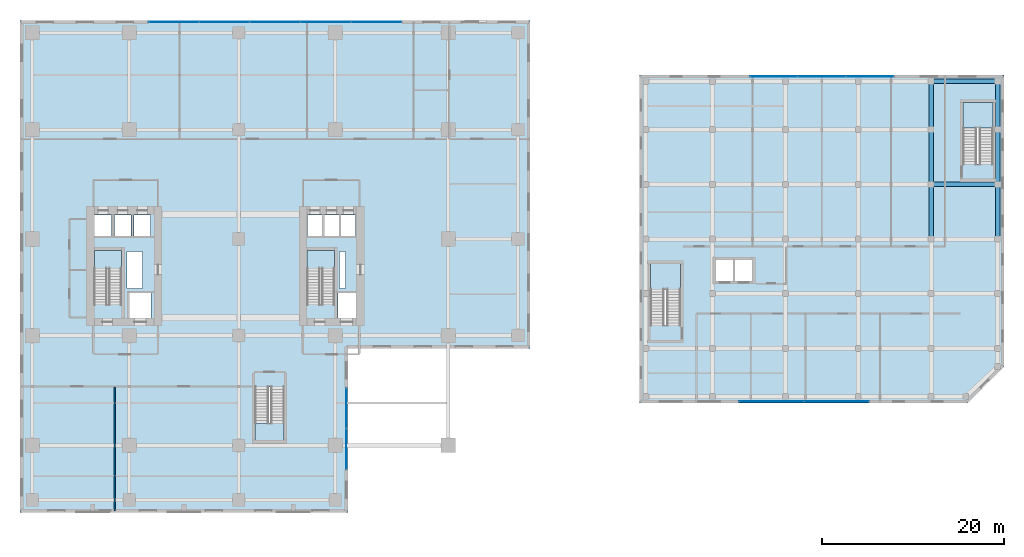
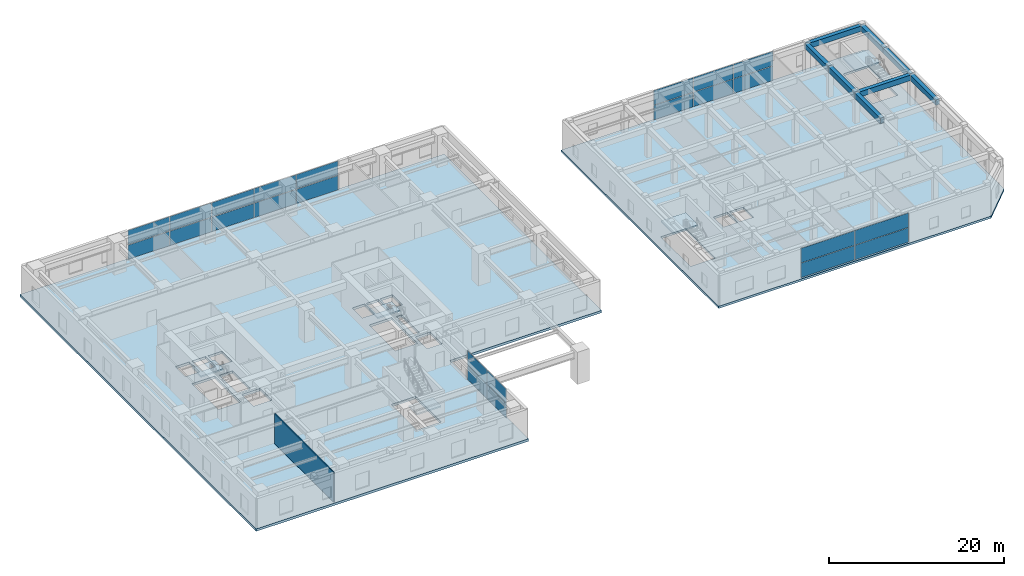
# One storey, part 17 of 26: 24 plates, 8 beams, 7 slabs, 1 wall, 9 elements without a shape of their own.
"""IFC4 building model written with IfcOpenShell, lengths in metres."""

from ifc_helpers import new_model, si_unit, direction, frame, frame_2d, origin, origin_2d, place, context, subcontext, project, spatial, polyline, rectangle, outline, extrude, source, transform, mapped, material, layer, layer_set, material_profile, profile_set, type_object, element, aggregate, save


model = new_model("IFC4")

# Units and contexts
model_context = context("Model", 3, precision=1e-05, world=origin(), true_north=direction((0.0, 1.0)))
body_context = subcontext(model_context, "Body", "Model", "MODEL_VIEW")
ifc_project = project(units=[si_unit("LENGTHUNIT", "METRE"), si_unit("AREAUNIT", "SQUARE_METRE"), si_unit("VOLUMEUNIT", "CUBIC_METRE"), si_unit("PLANEANGLEUNIT", "RADIAN"), si_unit("MASSUNIT", "GRAM", prefix="KILO")], contexts=[model_context])

# Site, building, storey
site_placement = place(None, origin())
site = spatial("IfcSite", under=ifc_project, at=site_placement, CompositionType="ELEMENT")
building_placement = place(site_placement, origin())
building = spatial("IfcBuilding", under=site, at=building_placement, Name="Khoralis Quay Care Tower", CompositionType="ELEMENT")
storey_placement = place(building_placement, frame((0.0, 0.0, 4.5)))
storey = spatial("IfcBuildingStorey", under=building, at=storey_placement, Name="L01", CompositionType="ELEMENT", Elevation=4.5)

# Beams
ifc_material_1 = material(Name="Concrete C40/50", Category="concrete")
ifc_material_profile = material_profile(ifc_material_1, rectangle(XDim=0.5, YDim=0.75, at=origin_2d()), Name="Concrete C40/50")
ifc_profile_set = profile_set([ifc_material_profile], Name="Concrete C40/50")
beam_type = type_object("IfcBeamType", Name="BM-RC500X750", PredefinedType="BEAM", material=ifc_profile_set)
shared_shape_1 = source(origin(), body_context, "Body", "SweptSolid", [
    extrude(rectangle(XDim=0.5, YDim=0.75, at=origin_2d()), origin(), (0.0, 0.0, 1.0), 7.300048828125),
])
for number, where, z_axis, x_axis, name in (
    (1, (100.0, 30.0, 3.824951171875), (1.0, 0.0, 0.0), (0.0, 1.0, 0.0), "BM-SCX-L01-23"),
    (2, (100.0, 41.300048828125, 3.824951171875), (1.0, 0.0, 0.0), (0.0, 1.0, 0.0), "BM-SCX-L01-32"),
):
    element("IfcBeam", number, at=place(storey_placement, frame(where, z_axis=z_axis, x_axis=x_axis)), inside=storey, type_object=beam_type, Name=name, PredefinedType="BEAM", context=body_context, shape_type="MappedRepresentation", body=[
        mapped(shared_shape_1, transform((0.0, 0.0, 0.0), scale=1.0)),
    ])
shared_shape_2 = source(origin(), body_context, "Body", "SweptSolid", [
    extrude(rectangle(XDim=0.5, YDim=0.75, at=origin_2d()), origin(), (0.0, 0.0, 1.0), 5.300048828125),
])
for number, where, z_axis, x_axis, name in (
    (3, (100.0, 36.0, 3.824951171875), (0.0, 1.0, 0.0), (-1.0, 0.0, 0.0), "BM-SCY-L01-62"),
    (4, (107.300048828125, 36.0, 3.824951171875), (0.0, 1.0, 0.0), (-1.0, 0.0, 0.0), "BM-SCY-L01-67"),
):
    element("IfcBeam", number, at=place(storey_placement, frame(where, z_axis=z_axis, x_axis=x_axis)), inside=storey, type_object=beam_type, Name=name, PredefinedType="BEAM", context=body_context, shape_type="MappedRepresentation", body=[
        mapped(shared_shape_2, transform((0.0, 0.0, 0.0), scale=1.0)),
    ])
shared_shape_3 = source(origin(), body_context, "Body", "SweptSolid", [
    extrude(rectangle(XDim=0.5, YDim=0.75, at=origin_2d()), origin(), (0.0, 0.0, 1.0), 6.0),
])
for number, where, z_axis, x_axis, name in (
    (5, (100.0, 24.0, 3.824951171875), (0.0, 1.0, 0.0), (-1.0, 0.0, 0.0), "BM-SCY-L01-60"),
    (6, (100.0, 30.0, 3.824951171875), (0.0, 1.0, 0.0), (-1.0, 0.0, 0.0), "BM-SCY-L01-61"),
    (7, (107.300048828125, 24.0, 3.824951171875), (0.0, 1.0, 0.0), (-1.0, 0.0, 0.0), "BM-SCY-L01-65"),
    (8, (107.300048828125, 30.0, 3.824951171875), (0.0, 1.0, 0.0), (-1.0, 0.0, 0.0), "BM-SCY-L01-66"),
):
    element("IfcBeam", number, at=place(storey_placement, frame(where, z_axis=z_axis, x_axis=x_axis)), inside=storey, type_object=beam_type, Name=name, PredefinedType="BEAM", context=body_context, shape_type="MappedRepresentation", body=[
        mapped(shared_shape_3, transform((0.0, 0.0, 0.0), scale=1.0)),
    ])

# Stair, slab
ifc_material_2 = material(Name="Precast concrete C45/55", Category="concrete")
stair_type_1 = type_object("IfcStairType", Name="ST-TWR-DOGLEG-1400", PredefinedType="HALF_TURN_STAIR", material=ifc_material_2)
stair_1_placement = place(storey_placement, origin())
stair_1 = element("IfcStair", 9, at=stair_1_placement, inside=storey, type_object=stair_type_1, Name="L01 West Core Exit Stair ST-T1", PredefinedType="HALF_TURN_STAIR")
ifc_layer_1 = layer(ifc_material_2, 0.199951171875)
ifc_layer_set_1 = layer_set([ifc_layer_1], Name="Precast concrete C45/55")
slab_type_1 = type_object("IfcSlabType", Name="SLB-LANDING-200", PredefinedType="LANDING", material=ifc_layer_set_1)
slab_1_placement = place(storey_placement, frame((0.0, 0.0, 2.050048828125)))
slab_1 = element("IfcSlab", 10, at=slab_1_placement, type_object=slab_type_1, Name="ST-T1 landing 1", PredefinedType="LANDING", context=body_context, shape_type="SweptSolid", body=[
    extrude(outline(polyline([(11.14990234375, 20.77001953125), (11.14990234375, 22.75), (8.14990234375, 22.75), (8.14990234375, 20.77001953125), (11.14990234375, 20.77001953125)])), origin(), (0.0, 0.0, 1.0), 0.199951171875),
])
aggregate(stair_1, [slab_1])

stair_2_placement = place(storey_placement, origin())
stair_2 = element("IfcStair", 11, at=stair_2_placement, inside=storey, type_object=stair_type_1, Name="L01 East Core Exit Stair ST-T2", PredefinedType="HALF_TURN_STAIR")
slab_2_placement = place(storey_placement, frame((0.0, 0.0, 2.050048828125)))
slab_2 = element("IfcSlab", 12, at=slab_2_placement, type_object=slab_type_1, Name="ST-T2 landing 1", PredefinedType="LANDING", context=body_context, shape_type="SweptSolid", body=[
    extrude(outline(polyline([(34.52001953125, 20.77001953125), (34.52001953125, 22.75), (31.52001953125, 22.75), (31.52001953125, 20.77001953125), (34.52001953125, 20.77001953125)])), origin(), (0.0, 0.0, 1.0), 0.199951171875),
])
aggregate(stair_2, [slab_2])

stair_type_2 = type_object("IfcStairType", Name="ST-POD-DOGLEG-1500", PredefinedType="HALF_TURN_STAIR", material=ifc_material_2)
stair_3_placement = place(storey_placement, origin())
stair_3 = element("IfcStair", 13, at=stair_3_placement, inside=storey, type_object=stair_type_2, Name="L01 Podium Clinical Stair ST-P1", PredefinedType="HALF_TURN_STAIR")
slab_3_placement = place(storey_placement, frame((0.0, 0.0, 2.050048828125)))
slab_3 = element("IfcSlab", 14, at=slab_3_placement, type_object=slab_type_1, Name="ST-P1 landing 1", PredefinedType="LANDING", context=body_context, shape_type="SweptSolid", body=[
    extrude(outline(polyline([(25.800048828125, 3.800048828125), (25.800048828125, 1.89990234375), (29.0, 1.89990234375), (29.0, 3.800048828125), (25.800048828125, 3.800048828125)])), origin(), (0.0, 0.0, 1.0), 0.199951171875),
])
aggregate(stair_3, [slab_3])

stair_type_3 = type_object("IfcStairType", Name="ST-SCH-DOGLEG-1550", PredefinedType="HALF_TURN_STAIR", material=ifc_material_2)
stair_4_placement = place(storey_placement, origin())
stair_4 = element("IfcStair", 15, at=stair_4_placement, inside=storey, type_object=stair_type_3, Name="L01 Companion School West Exit Stair ST-S1", PredefinedType="HALF_TURN_STAIR")
slab_4_placement = place(storey_placement, frame((0.0, 0.0, 2.050048828125)))
slab_4 = element("IfcSlab", 16, at=slab_4_placement, type_object=slab_type_1, Name="ST-S1 landing 1", PredefinedType="LANDING", context=body_context, shape_type="SweptSolid", body=[
    extrude(outline(polyline([(72.5, 18.47998046875), (72.5, 21.300048828125), (69.199951171875, 21.300048828125), (69.199951171875, 18.47998046875), (72.5, 18.47998046875)])), origin(), (0.0, 0.0, 1.0), 0.199951171875),
])
aggregate(stair_4, [slab_4])

stair_5_placement = place(storey_placement, origin())
stair_5 = element("IfcStair", 17, at=stair_5_placement, inside=storey, type_object=stair_type_3, Name="L01 Companion School East Exit Stair ST-S2", PredefinedType="HALF_TURN_STAIR")
slab_5_placement = place(storey_placement, frame((0.0, 0.0, 2.050048828125)))
slab_5 = element("IfcSlab", 18, at=slab_5_placement, type_object=slab_type_1, Name="ST-S2 landing 1", PredefinedType="LANDING", context=body_context, shape_type="SweptSolid", body=[
    extrude(outline(polyline([(106.800048828125, 36.179931640625), (106.800048828125, 39.0), (103.5, 39.0), (103.5, 36.179931640625), (106.800048828125, 36.179931640625)])), origin(), (0.0, 0.0, 1.0), 0.199951171875),
])
aggregate(stair_5, [slab_5])

# Slabs
ifc_layer_2 = layer(ifc_material_1, 0.340087890625)
ifc_layer_set_2 = layer_set([ifc_layer_2], Name="Concrete C40/50")
slab_type_2 = type_object("IfcSlabType", Name="SLB-POD-340", PredefinedType="FLOOR", material=ifc_layer_set_2)
slab_6_placement = place(storey_placement, frame((0.0, 0.0, -0.340087890625)))
element("IfcSlab", 19, at=slab_6_placement, inside=storey, type_object=slab_type_2, Name="Tower Floor Slab L01", PredefinedType="FLOOR", context=body_context, shape_type="SweptSolid", body=[
    extrude(outline(polyline([(0.0, -6.0), (36.0, -6.0), (36.0, 12.0), (56.0, 12.0), (56.0, 48.0), (0.0, 48.0), (0.0, -6.0)]), holes=[polyline([(11.14990234375, 16.800048828125), (11.14990234375, 22.75), (8.14990234375, 22.75), (8.14990234375, 16.800048828125), (11.14990234375, 16.800048828125)]), polyline([(34.52001953125, 16.800048828125), (34.52001953125, 22.75), (31.52001953125, 22.75), (31.52001953125, 16.800048828125), (34.52001953125, 16.800048828125)]), polyline([(25.800048828125, 7.77001953125), (25.800048828125, 1.89990234375), (29.0, 1.89990234375), (29.0, 7.77001953125), (25.800048828125, 7.77001953125)]), polyline([(12.0, 15.35009765625), (14.39990234375, 15.35009765625), (14.39990234375, 18.050048828125), (12.0, 18.050048828125), (12.0, 15.35009765625)]), polyline([(34.919921875, 15.35009765625), (36.8798828125, 15.35009765625), (36.8798828125, 18.050048828125), (34.919921875, 18.050048828125), (34.919921875, 15.35009765625)]), polyline([(8.199951171875, 24.35009765625), (10.050048828125, 24.35009765625), (10.050048828125, 26.64990234375), (8.199951171875, 26.64990234375), (8.199951171875, 24.35009765625)]), polyline([(31.550048828125, 24.35009765625), (33.199951171875, 24.35009765625), (33.199951171875, 26.64990234375), (31.550048828125, 26.64990234375), (31.550048828125, 24.35009765625)]), polyline([(10.35009765625, 24.35009765625), (12.199951171875, 24.35009765625), (12.199951171875, 26.64990234375), (10.35009765625, 26.64990234375), (10.35009765625, 24.35009765625)]), polyline([(33.3798828125, 24.35009765625), (35.030029296875, 24.35009765625), (35.030029296875, 26.64990234375), (33.3798828125, 26.64990234375), (33.3798828125, 24.35009765625)]), polyline([(12.5, 24.35009765625), (14.35009765625, 24.35009765625), (14.35009765625, 26.64990234375), (12.5, 26.64990234375), (12.5, 24.35009765625)]), polyline([(35.199951171875, 24.35009765625), (36.85009765625, 24.35009765625), (36.85009765625, 26.64990234375), (35.199951171875, 26.64990234375), (35.199951171875, 24.35009765625)]), polyline([(11.719970703125, 18.550048828125), (13.449951171875, 18.550048828125), (13.449951171875, 22.64990234375), (11.719970703125, 22.64990234375), (11.719970703125, 18.550048828125)]), polyline([(35.050048828125, 18.550048828125), (35.75, 18.550048828125), (35.75, 22.64990234375), (35.050048828125, 22.64990234375), (35.050048828125, 18.550048828125)])]), origin(), (0.0, 0.0, 1.0), 0.340087890625),
])
ifc_layer_3 = layer(ifc_material_1, 0.300048828125)
ifc_layer_set_3 = layer_set([ifc_layer_3], Name="Concrete C40/50")
slab_type_3 = type_object("IfcSlabType", Name="SLB-SCH-300", PredefinedType="FLOOR", material=ifc_layer_set_3)
slab_7_placement = place(storey_placement, frame((0.0, 0.0, -0.300048828125)))
element("IfcSlab", 20, at=slab_7_placement, inside=storey, type_object=slab_type_3, Name="Companion School Floor Slab L01", PredefinedType="FLOOR", context=body_context, shape_type="SweptSolid", body=[
    extrude(outline(polyline([(68.0, 6.0), (104.0, 6.0), (108.0, 10.0), (108.0, 42.0), (68.0, 42.0), (68.0, 6.0)]), holes=[polyline([(72.5, 14.510009765625), (72.5, 21.300048828125), (69.199951171875, 21.300048828125), (69.199951171875, 14.510009765625), (72.5, 14.510009765625)]), polyline([(106.800048828125, 32.2099609375), (106.800048828125, 39.0), (103.5, 39.0), (103.5, 32.2099609375), (106.800048828125, 32.2099609375)]), polyline([(76.39990234375, 19.39990234375), (78.25, 19.39990234375), (78.25, 21.699951171875), (76.39990234375, 21.699951171875), (76.39990234375, 19.39990234375)]), polyline([(78.5, 19.39990234375), (80.35009765625, 19.39990234375), (80.35009765625, 21.699951171875), (78.5, 21.699951171875), (78.5, 19.39990234375)])]), origin(), (0.0, 0.0, 1.0), 0.300048828125),
])

# Curtain wall, plates
ifc_material_3 = material(Name="Pale anodised aluminium", Category="aluminium")
ifc_layer_4 = layer(ifc_material_3, 0.179931640625)
ifc_layer_set_4 = layer_set([ifc_layer_4], Name="Pale anodised aluminium")
curtain_wall_type_1 = type_object("IfcCurtainWallType", Name="CW-SYS-Z1", PredefinedType="NOTDEFINED", material=ifc_layer_set_4)
curtain_wall_1_placement = place(storey_placement, origin())
curtain_wall_1 = element("IfcCurtainWall", 21, at=curtain_wall_1_placement, inside=storey, type_object=curtain_wall_type_1, Name="L01 Unitised Curtain Wall CW-POD-L01-E1", PredefinedType="NOTDEFINED")
ifc_material_4 = material(Name="Low-E solar-control double glazing", Category="glass")
ifc_layer_5 = layer(ifc_material_4, 0.031982421875)
ifc_layer_set_5 = layer_set([ifc_layer_5], Name="Low-E solar-control double glazing")
plate_type = type_object("IfcPlateType", Name="PNL-VIS-32", PredefinedType="CURTAIN_PANEL", material=ifc_layer_set_5)
shared_shape_4 = source(origin(), body_context, "Body", "SweptSolid", [
    extrude(rectangle(XDim=4.409912109375, YDim=0.028076171875, at=origin_2d()), origin(), (0.0, 0.0, 1.0), 1.989990234375),
])
plate_1_placement = place(storey_placement, frame((35.81005859375, 0.955078125, 0.06005859375), z_axis=(0.0, 0.0, 1.0), x_axis=(0.0, 1.0, 0.0)))
plate_1 = element("IfcPlate", 22, at=plate_1_placement, type_object=plate_type, Name="CW1 panel 1.1", PredefinedType="CURTAIN_PANEL", context=body_context, shape_type="MappedRepresentation", body=[
    mapped(shared_shape_4, transform((0.0, 0.0, 0.0), scale=1.0)),
])
plate_2_placement = place(storey_placement, frame((35.81005859375, 0.955078125, 2.10986328125), z_axis=(0.0, 0.0, 1.0), x_axis=(0.0, 1.0, 0.0)))
plate_2 = element("IfcPlate", 23, at=plate_2_placement, type_object=plate_type, Name="CW1 panel 1.2", PredefinedType="CURTAIN_PANEL", context=body_context, shape_type="MappedRepresentation", body=[
    mapped(shared_shape_4, transform((0.0, 0.0, 0.0), scale=1.0)),
])
plate_3_placement = place(storey_placement, frame((35.81005859375, 5.425048828125, 0.06005859375), z_axis=(0.0, 0.0, 1.0), x_axis=(0.0, 1.0, 0.0)))
plate_3 = element("IfcPlate", 24, at=plate_3_placement, type_object=plate_type, Name="CW1 panel 2.1", PredefinedType="CURTAIN_PANEL", context=body_context, shape_type="MappedRepresentation", body=[
    mapped(shared_shape_4, transform((0.0, 0.0, 0.0), scale=1.0)),
])
plate_4_placement = place(storey_placement, frame((35.81005859375, 5.425048828125, 2.10986328125), z_axis=(0.0, 0.0, 1.0), x_axis=(0.0, 1.0, 0.0)))
plate_4 = element("IfcPlate", 25, at=plate_4_placement, type_object=plate_type, Name="CW1 panel 2.2", PredefinedType="CURTAIN_PANEL", context=body_context, shape_type="MappedRepresentation", body=[
    mapped(shared_shape_4, transform((0.0, 0.0, 0.0), scale=1.0)),
])
aggregate(curtain_wall_1, [plate_1, plate_2, plate_3, plate_4])

curtain_wall_2_placement = place(storey_placement, origin())
curtain_wall_2 = element("IfcCurtainWall", 26, at=curtain_wall_2_placement, inside=storey, type_object=curtain_wall_type_1, Name="L01 Unitised Curtain Wall CW-POD-L01-E4", PredefinedType="NOTDEFINED")
shared_shape_5 = source(origin(), body_context, "Body", "SweptSolid", [
    extrude(rectangle(XDim=5.471923828125, YDim=0.028076171875, at=origin_2d()), origin(), (0.0, 0.0, 1.0), 1.989990234375),
])
plate_5_placement = place(storey_placement, frame((39.10888671875, 47.81005859375, 0.06005859375), z_axis=(0.0, 0.0, 1.0), x_axis=(-1.0, 0.0, 0.0)))
plate_5 = element("IfcPlate", 27, at=plate_5_placement, type_object=plate_type, Name="CW1 panel 1.1", PredefinedType="CURTAIN_PANEL", context=body_context, shape_type="MappedRepresentation", body=[
    mapped(shared_shape_5, transform((0.0, 0.0, 0.0), scale=1.0)),
])
plate_6_placement = place(storey_placement, frame((39.10888671875, 47.81005859375, 2.10986328125), z_axis=(0.0, 0.0, 1.0), x_axis=(-1.0, 0.0, 0.0)))
plate_6 = element("IfcPlate", 28, at=plate_6_placement, type_object=plate_type, Name="CW1 panel 1.2", PredefinedType="CURTAIN_PANEL", context=body_context, shape_type="MappedRepresentation", body=[
    mapped(shared_shape_5, transform((0.0, 0.0, 0.0), scale=1.0)),
])
plate_7_placement = place(storey_placement, frame((16.89111328125, 47.81005859375, 0.06005859375), z_axis=(0.0, 0.0, 1.0), x_axis=(-1.0, 0.0, 0.0)))
plate_7 = element("IfcPlate", 29, at=plate_7_placement, type_object=plate_type, Name="CW1 panel 5.1", PredefinedType="CURTAIN_PANEL", context=body_context, shape_type="MappedRepresentation", body=[
    mapped(shared_shape_5, transform((0.0, 0.0, 0.0), scale=1.0)),
])
plate_8_placement = place(storey_placement, frame((16.89111328125, 47.81005859375, 2.10986328125), z_axis=(0.0, 0.0, 1.0), x_axis=(-1.0, 0.0, 0.0)))
plate_8 = element("IfcPlate", 30, at=plate_8_placement, type_object=plate_type, Name="CW1 panel 5.2", PredefinedType="CURTAIN_PANEL", context=body_context, shape_type="MappedRepresentation", body=[
    mapped(shared_shape_5, transform((0.0, 0.0, 0.0), scale=1.0)),
])
shared_shape_6 = source(origin(), body_context, "Body", "SweptSolid", [
    extrude(rectangle(XDim=5.501953125, YDim=0.028076171875, at=origin_2d()), origin(), (0.0, 0.0, 1.0), 1.989990234375),
])
plate_9_placement = place(storey_placement, frame((33.56201171875, 47.81005859375, 0.06005859375), z_axis=(0.0, 0.0, 1.0), x_axis=(-1.0, 0.0, 0.0)))
plate_9 = element("IfcPlate", 31, at=plate_9_placement, type_object=plate_type, Name="CW1 panel 2.1", PredefinedType="CURTAIN_PANEL", context=body_context, shape_type="MappedRepresentation", body=[
    mapped(shared_shape_6, transform((0.0, 0.0, 0.0), scale=1.0)),
])
plate_10_placement = place(storey_placement, frame((33.56201171875, 47.81005859375, 2.10986328125), z_axis=(0.0, 0.0, 1.0), x_axis=(-1.0, 0.0, 0.0)))
plate_10 = element("IfcPlate", 32, at=plate_10_placement, type_object=plate_type, Name="CW1 panel 2.2", PredefinedType="CURTAIN_PANEL", context=body_context, shape_type="MappedRepresentation", body=[
    mapped(shared_shape_6, transform((0.0, 0.0, 0.0), scale=1.0)),
])
plate_11_placement = place(storey_placement, frame((28.0, 47.81005859375, 0.06005859375), z_axis=(0.0, 0.0, 1.0), x_axis=(-1.0, 0.0, 0.0)))
plate_11 = element("IfcPlate", 33, at=plate_11_placement, type_object=plate_type, Name="CW1 panel 3.1", PredefinedType="CURTAIN_PANEL", context=body_context, shape_type="MappedRepresentation", body=[
    mapped(shared_shape_6, transform((0.0, 0.0, 0.0), scale=1.0)),
])
plate_12_placement = place(storey_placement, frame((28.0, 47.81005859375, 2.10986328125), z_axis=(0.0, 0.0, 1.0), x_axis=(-1.0, 0.0, 0.0)))
plate_12 = element("IfcPlate", 34, at=plate_12_placement, type_object=plate_type, Name="CW1 panel 3.2", PredefinedType="CURTAIN_PANEL", context=body_context, shape_type="MappedRepresentation", body=[
    mapped(shared_shape_6, transform((0.0, 0.0, 0.0), scale=1.0)),
])
plate_13_placement = place(storey_placement, frame((22.43798828125, 47.81005859375, 0.06005859375), z_axis=(0.0, 0.0, 1.0), x_axis=(-1.0, 0.0, 0.0)))
plate_13 = element("IfcPlate", 35, at=plate_13_placement, type_object=plate_type, Name="CW1 panel 4.1", PredefinedType="CURTAIN_PANEL", context=body_context, shape_type="MappedRepresentation", body=[
    mapped(shared_shape_6, transform((0.0, 0.0, 0.0), scale=1.0)),
])
plate_14_placement = place(storey_placement, frame((22.43798828125, 47.81005859375, 2.10986328125), z_axis=(0.0, 0.0, 1.0), x_axis=(-1.0, 0.0, 0.0)))
plate_14 = element("IfcPlate", 36, at=plate_14_placement, type_object=plate_type, Name="CW1 panel 4.2", PredefinedType="CURTAIN_PANEL", context=body_context, shape_type="MappedRepresentation", body=[
    mapped(shared_shape_6, transform((0.0, 0.0, 0.0), scale=1.0)),
])
aggregate(curtain_wall_2, [plate_5, plate_6, plate_9, plate_10, plate_11, plate_12, plate_13, plate_14, plate_7, plate_8])

ifc_layer_6 = layer(ifc_material_3, 0.14990234375)
ifc_layer_set_6 = layer_set([ifc_layer_6], Name="Pale anodised aluminium")
curtain_wall_type_2 = type_object("IfcCurtainWallType", Name="CW-SYS-SCHOOL", PredefinedType="NOTDEFINED", material=ifc_layer_set_6)
curtain_wall_3_placement = place(storey_placement, origin())
curtain_wall_3 = element("IfcCurtainWall", 37, at=curtain_wall_3_placement, inside=storey, type_object=curtain_wall_type_2, Name="L01 Unitised Curtain Wall CW-SCH-L01-E0", PredefinedType="NOTDEFINED")
shared_shape_7 = source(origin(), body_context, "Body", "SweptSolid", [
    extrude(rectangle(XDim=7.06201171875, YDim=0.028076171875, at=origin_2d()), origin(), (0.0, 0.0, 1.0), 2.010009765625),
])
plate_15_placement = place(storey_placement, frame((82.489013671875, 6.169921875, 0.06005859375), z_axis=(0.0, 0.0, 1.0), x_axis=(1.0, 0.0, 0.0)))
plate_15 = element("IfcPlate", 38, at=plate_15_placement, type_object=plate_type, Name="CW6 panel 1.1", PredefinedType="CURTAIN_PANEL", context=body_context, shape_type="MappedRepresentation", body=[
    mapped(shared_shape_7, transform((0.0, 0.0, 0.0), scale=1.0)),
])
plate_16_placement = place(storey_placement, frame((82.489013671875, 6.169921875, 2.1298828125), z_axis=(0.0, 0.0, 1.0), x_axis=(1.0, 0.0, 0.0)))
plate_16 = element("IfcPlate", 39, at=plate_16_placement, type_object=plate_type, Name="CW6 panel 1.2", PredefinedType="CURTAIN_PANEL", context=body_context, shape_type="MappedRepresentation", body=[
    mapped(shared_shape_7, transform((0.0, 0.0, 0.0), scale=1.0)),
])
plate_17_placement = place(storey_placement, frame((89.611083984375, 6.169921875, 0.06005859375), z_axis=(0.0, 0.0, 1.0), x_axis=(1.0, 0.0, 0.0)))
plate_17 = element("IfcPlate", 40, at=plate_17_placement, type_object=plate_type, Name="CW6 panel 2.1", PredefinedType="CURTAIN_PANEL", context=body_context, shape_type="MappedRepresentation", body=[
    mapped(shared_shape_7, transform((0.0, 0.0, 0.0), scale=1.0)),
])
plate_18_placement = place(storey_placement, frame((89.611083984375, 6.169921875, 2.1298828125), z_axis=(0.0, 0.0, 1.0), x_axis=(1.0, 0.0, 0.0)))
plate_18 = element("IfcPlate", 41, at=plate_18_placement, type_object=plate_type, Name="CW6 panel 2.2", PredefinedType="CURTAIN_PANEL", context=body_context, shape_type="MappedRepresentation", body=[
    mapped(shared_shape_7, transform((0.0, 0.0, 0.0), scale=1.0)),
])
aggregate(curtain_wall_3, [plate_15, plate_16, plate_17, plate_18])

curtain_wall_4_placement = place(storey_placement, origin())
curtain_wall_4 = element("IfcCurtainWall", 42, at=curtain_wall_4_placement, inside=storey, type_object=curtain_wall_type_2, Name="L01 Unitised Curtain Wall CW-SCH-L01-E3", PredefinedType="NOTDEFINED")
shared_shape_8 = source(origin(), body_context, "Body", "SweptSolid", [
    extrude(rectangle(XDim=5.197998046875, YDim=0.028076171875, at=origin_2d()), origin(), (0.0, 0.0, 1.0), 2.010009765625),
])
plate_19_placement = place(storey_placement, frame((93.27294921875, 41.830078125, 0.06005859375), z_axis=(0.0, 0.0, 1.0), x_axis=(-1.0, 0.0, 0.0)))
plate_19 = element("IfcPlate", 43, at=plate_19_placement, type_object=plate_type, Name="CW6 panel 1.1", PredefinedType="CURTAIN_PANEL", context=body_context, shape_type="MappedRepresentation", body=[
    mapped(shared_shape_8, transform((0.0, 0.0, 0.0), scale=1.0)),
])
plate_20_placement = place(storey_placement, frame((93.27294921875, 41.830078125, 2.1298828125), z_axis=(0.0, 0.0, 1.0), x_axis=(-1.0, 0.0, 0.0)))
plate_20 = element("IfcPlate", 44, at=plate_20_placement, type_object=plate_type, Name="CW6 panel 1.2", PredefinedType="CURTAIN_PANEL", context=body_context, shape_type="MappedRepresentation", body=[
    mapped(shared_shape_8, transform((0.0, 0.0, 0.0), scale=1.0)),
])
plate_21_placement = place(storey_placement, frame((82.72705078125, 41.830078125, 0.06005859375), z_axis=(0.0, 0.0, 1.0), x_axis=(-1.0, 0.0, 0.0)))
plate_21 = element("IfcPlate", 45, at=plate_21_placement, type_object=plate_type, Name="CW6 panel 3.1", PredefinedType="CURTAIN_PANEL", context=body_context, shape_type="MappedRepresentation", body=[
    mapped(shared_shape_8, transform((0.0, 0.0, 0.0), scale=1.0)),
])
plate_22_placement = place(storey_placement, frame((82.72705078125, 41.830078125, 2.1298828125), z_axis=(0.0, 0.0, 1.0), x_axis=(-1.0, 0.0, 0.0)))
plate_22 = element("IfcPlate", 46, at=plate_22_placement, type_object=plate_type, Name="CW6 panel 3.2", PredefinedType="CURTAIN_PANEL", context=body_context, shape_type="MappedRepresentation", body=[
    mapped(shared_shape_8, transform((0.0, 0.0, 0.0), scale=1.0)),
])
shared_shape_9 = source(origin(), body_context, "Body", "SweptSolid", [
    extrude(rectangle(XDim=5.22802734375, YDim=0.028076171875, at=origin_2d()), origin(), (0.0, 0.0, 1.0), 2.010009765625),
])
plate_23_placement = place(storey_placement, frame((88.0, 41.830078125, 0.06005859375), z_axis=(0.0, 0.0, 1.0), x_axis=(-1.0, 0.0, 0.0)))
plate_23 = element("IfcPlate", 47, at=plate_23_placement, type_object=plate_type, Name="CW6 panel 2.1", PredefinedType="CURTAIN_PANEL", context=body_context, shape_type="MappedRepresentation", body=[
    mapped(shared_shape_9, transform((0.0, 0.0, 0.0), scale=1.0)),
])
plate_24_placement = place(storey_placement, frame((88.0, 41.830078125, 2.1298828125), z_axis=(0.0, 0.0, 1.0), x_axis=(-1.0, 0.0, 0.0)))
plate_24 = element("IfcPlate", 48, at=plate_24_placement, type_object=plate_type, Name="CW6 panel 2.2", PredefinedType="CURTAIN_PANEL", context=body_context, shape_type="MappedRepresentation", body=[
    mapped(shared_shape_9, transform((0.0, 0.0, 0.0), scale=1.0)),
])
aggregate(curtain_wall_4, [plate_19, plate_20, plate_23, plate_24, plate_21, plate_22])

# Wall
ifc_material_5 = material(Name="Gypsum plasterboard on acoustic metal stud")
ifc_layer_7 = layer(ifc_material_5, 0.139892578125)
ifc_layer_set_7 = layer_set([ifc_layer_7], Name="Gypsum plasterboard on acoustic metal stud")
wall_type = type_object("IfcWallType", Name="WL-UNIT-140", PredefinedType="PARTITIONING", material=ifc_layer_set_7)
wall_placement = place(storey_placement, frame((10.39990234375, -5.81494140625, 0.0), z_axis=(0.0, 0.0, 1.0), x_axis=(0.0, 1.0, 0.0)))
element("IfcWall", 49, at=wall_placement, inside=storey, type_object=wall_type, Name="L01 Podium South Split", PredefinedType="PARTITIONING", context=body_context, shape_type="SweptSolid", body=[
    extrude(rectangle(XDim=13.537353515625, YDim=0.139892578125, at=frame_2d((6.7685546875, 0.0))), origin(), (0.0, 0.0, 1.0), 4.159912109375),
])

save(model, "model.ifc")
